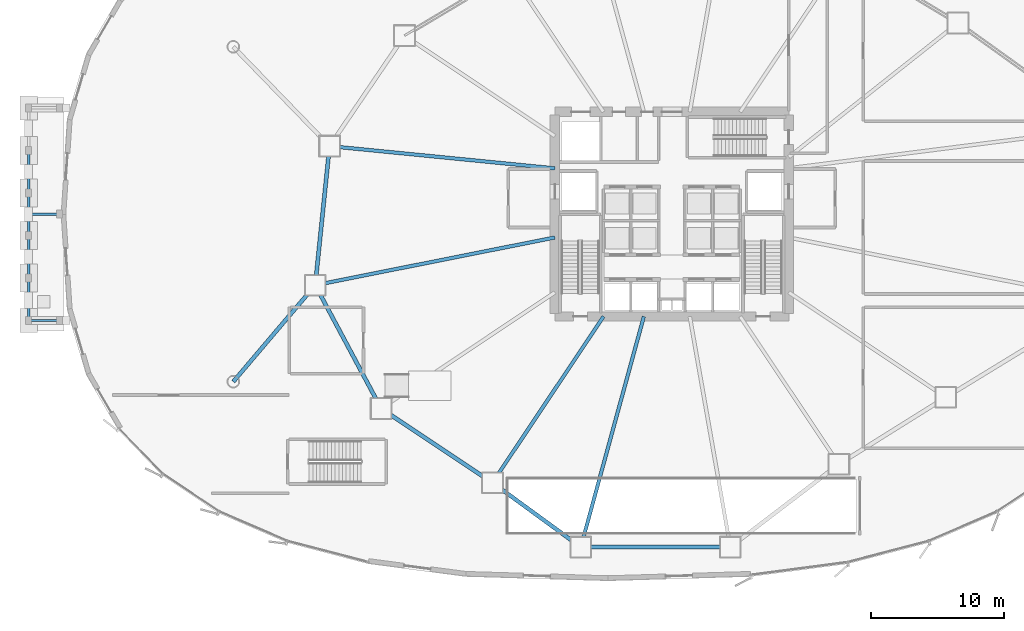
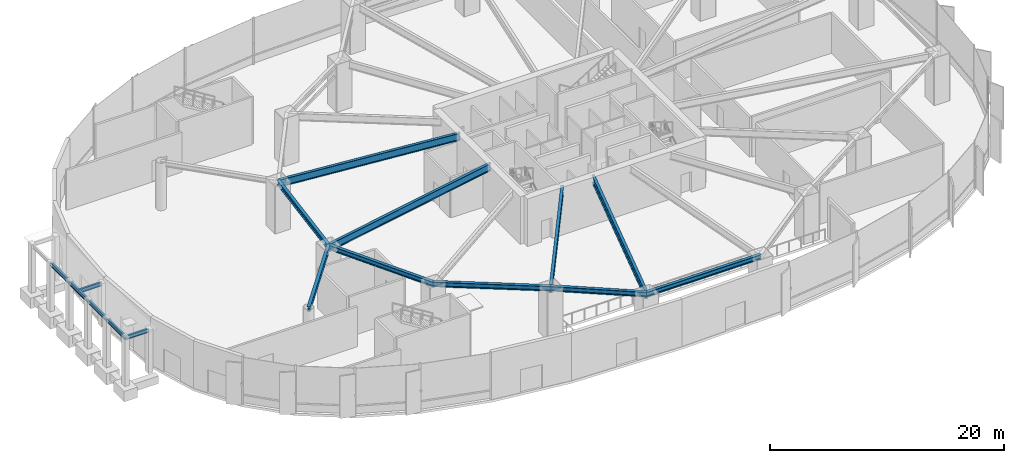
# One storey, part 4 of 35: 16 beams.
"""IFC4 building model written with IfcOpenShell, lengths in metres."""

from ifc_helpers import new_model, si_unit, direction, frame, origin, origin_2d, place, context, subcontext, project, spatial, i_section, extrude, source, transform, mapped, material, material_profile, profile_set, type_object, element, save


model = new_model("IFC4")

# Units and contexts
model_context = context("Model", 3, precision=1e-05, world=origin(), true_north=direction((0.0, 1.0)))
body_context = subcontext(model_context, "Body", "Model", "MODEL_VIEW")
ifc_project = project(units=[si_unit("LENGTHUNIT", "METRE"), si_unit("AREAUNIT", "SQUARE_METRE"), si_unit("VOLUMEUNIT", "CUBIC_METRE"), si_unit("PLANEANGLEUNIT", "RADIAN"), si_unit("MASSUNIT", "GRAM", prefix="KILO"), si_unit("THERMODYNAMICTEMPERATUREUNIT", "KELVIN")], contexts=[model_context])

# Site, building, storey
site_placement = place(None, origin())
site = spatial("IfcSite", under=ifc_project, at=site_placement, CompositionType="ELEMENT")
building_placement = place(site_placement, origin())
building = spatial("IfcBuilding", under=site, at=building_placement, Name="Kethvar Cultural Tower", CompositionType="ELEMENT")
storey_placement = place(building_placement, origin())
storey = spatial("IfcBuildingStorey", under=building, at=storey_placement, Name="L00", CompositionType="ELEMENT", Elevation=0.0)

# Beams
ifc_material = material(Name="Steel S355J2", Category="steel")
ifc_material_profile_1 = material_profile(ifc_material, i_section(OverallWidth=0.179931640625, OverallDepth=0.39990234375, WebThickness=0.008544921875, FlangeThickness=0.013427734375, FilletRadius=0.02099609375, at=origin_2d()), Name="Steel S355J2 — IPE400")
ifc_profile_set_1 = profile_set([ifc_material_profile_1], Name="Steel S355J2 — IPE400")
beam_type_1 = type_object("IfcBeamType", Name="BM-CAN400", PredefinedType="BEAM", material=ifc_profile_set_1)
shared_shape_1 = source(origin(), body_context, "Body", "SweptSolid", [
    extrude(i_section(OverallWidth=0.179931640625, OverallDepth=0.39990234375, WebThickness=0.008544921875, FlangeThickness=0.013427734375, FilletRadius=0.02099609375, at=origin_2d()), origin(), (0.0, 0.0, 1.0), 2.320068359375),
])
for number, where, z_axis, x_axis, name in (
    (1, (-1.60009765625, 19.800048828125, 4.340087890625), (1.0, 0.0, 0.0), (0.0, 1.0, 0.0), "West Entrance Canopy Cross Beam CT-01"),
    (2, (-1.60009765625, 27.800048828125, 4.340087890625), (1.0, 0.0, 0.0), (0.0, 1.0, 0.0), "West Entrance Canopy Cross Beam CT-02"),
):
    element("IfcBeam", number, at=place(storey_placement, frame(where, z_axis=z_axis, x_axis=x_axis)), inside=storey, type_object=beam_type_1, Name=name, PredefinedType="BEAM", context=body_context, shape_type="MappedRepresentation", body=[
        mapped(shared_shape_1, transform((0.0, 0.0, 0.0), scale=1.0)),
    ])
shared_shape_2 = source(origin(), body_context, "Body", "SweptSolid", [
    extrude(i_section(OverallWidth=0.179931640625, OverallDepth=0.39990234375, WebThickness=0.008544921875, FlangeThickness=0.013427734375, FilletRadius=0.02099609375, at=origin_2d()), origin(), (0.0, 0.0, 1.0), 3.199951171875),
])
for number, where, z_axis, x_axis, name in (
    (3, (-1.60009765625, 19.800048828125, 4.340087890625), (0.0, 1.0, 0.0), (-1.0, 0.0, 0.0), "West Entrance Canopy Edge Beam CB-01"),
    (4, (-1.60009765625, 23.0, 4.340087890625), (0.0, 1.0, 0.0), (-1.0, 0.0, 0.0), "West Entrance Canopy Edge Beam CB-02"),
    (5, (-1.60009765625, 26.199951171875, 4.340087890625), (0.0, 1.0, 0.0), (-1.0, 0.0, 0.0), "West Entrance Canopy Edge Beam CB-03"),
):
    element("IfcBeam", number, at=place(storey_placement, frame(where, z_axis=z_axis, x_axis=x_axis)), inside=storey, type_object=beam_type_1, Name=name, PredefinedType="BEAM", context=body_context, shape_type="MappedRepresentation", body=[
        mapped(shared_shape_2, transform((0.0, 0.0, 0.0), scale=1.0)),
    ])
shared_shape_3 = source(origin(), body_context, "Body", "SweptSolid", [
    extrude(i_section(OverallWidth=0.179931640625, OverallDepth=0.39990234375, WebThickness=0.008544921875, FlangeThickness=0.013427734375, FilletRadius=0.02099609375, at=origin_2d()), origin(), (0.0, 0.0, 1.0), 3.2001953125),
])
beam_1_placement = place(storey_placement, frame((-1.60009765625, 29.39990234375, 4.340087890625), z_axis=(0.0, 1.0, 0.0), x_axis=(-1.0, 0.0, 0.0)))
element("IfcBeam", 6, at=beam_1_placement, inside=storey, type_object=beam_type_1, Name="West Entrance Canopy Edge Beam CB-04", PredefinedType="BEAM", context=body_context, shape_type="MappedRepresentation", body=[
    mapped(shared_shape_3, transform((0.0, 0.0, 0.0), scale=1.0)),
])
ifc_material_profile_2 = material_profile(ifc_material, i_section(OverallWidth=0.300048828125, OverallDepth=0.5, WebThickness=0.014404296875, FlangeThickness=0.028076171875, FilletRadius=0.027099609375, at=origin_2d()), Name="Steel S355J2 — HEB500")
ifc_profile_set_2 = profile_set([ifc_material_profile_2], Name="Steel S355J2 — HEB500")
beam_type_2 = type_object("IfcBeamType", Name="BM-SP500", PredefinedType="SPANDREL", material=ifc_profile_set_2)
shared_shape_4 = source(origin(), body_context, "Body", "SweptSolid", [
    extrude(i_section(OverallWidth=0.300048828125, OverallDepth=0.5, WebThickness=0.014404296875, FlangeThickness=0.028076171875, FilletRadius=0.027099609375, at=origin_2d()), origin(), (0.0, 0.0, 1.0), 11.25),
])
beam_2_placement = place(storey_placement, frame((39.949951171875, 2.75, 4.697998046875), z_axis=(1.0, 0.0, 0.0), x_axis=(0.0, 1.0, 0.0)))
element("IfcBeam", 7, at=beam_2_placement, inside=storey, type_object=beam_type_2, Name="L00 Podium Ring Beam 12", PredefinedType="SPANDREL", context=body_context, shape_type="MappedRepresentation", body=[
    mapped(shared_shape_4, transform((0.0, 0.0, 0.0), scale=1.0)),
])
shared_shape_5 = source(origin(), body_context, "Body", "SweptSolid", [
    extrude(i_section(OverallWidth=0.300048828125, OverallDepth=0.5, WebThickness=0.014404296875, FlangeThickness=0.028076171875, FilletRadius=0.027099609375, at=origin_2d()), origin(), (0.0, 0.0, 1.0), 10.515869140625),
])
beam_3_placement = place(storey_placement, frame((21.047119140625, 32.922607421875, 4.697998046875), z_axis=(-0.102824694973, -0.994699493367, 0.0), x_axis=(0.994699493367, -0.102824694973, 0.0)))
element("IfcBeam", 8, at=beam_3_placement, inside=storey, type_object=beam_type_2, Name="L00 Podium Ring Beam 08", PredefinedType="SPANDREL", context=body_context, shape_type="MappedRepresentation", body=[
    mapped(shared_shape_5, transform((0.0, 0.0, 0.0), scale=1.0)),
])
shared_shape_6 = source(origin(), body_context, "Body", "SweptSolid", [
    extrude(i_section(OverallWidth=0.300048828125, OverallDepth=0.5, WebThickness=0.014404296875, FlangeThickness=0.028076171875, FilletRadius=0.027099609375, at=origin_2d()), origin(), (0.0, 0.0, 1.0), 10.52099609375),
])
beam_4_placement = place(storey_placement, frame((19.9658203125, 22.46240234375, 4.697998046875), z_axis=(0.471339616984, -0.881951793162, 0.0), x_axis=(0.881951793162, 0.471339616984, 0.0)))
element("IfcBeam", 9, at=beam_4_placement, inside=storey, type_object=beam_type_2, Name="L00 Podium Ring Beam 09", PredefinedType="SPANDREL", context=body_context, shape_type="MappedRepresentation", body=[
    mapped(shared_shape_6, transform((0.0, 0.0, 0.0), scale=1.0)),
])
shared_shape_7 = source(origin(), body_context, "Body", "SweptSolid", [
    extrude(i_section(OverallWidth=0.300048828125, OverallDepth=0.5, WebThickness=0.014404296875, FlangeThickness=0.028076171875, FilletRadius=0.027099609375, at=origin_2d()), origin(), (0.0, 0.0, 1.0), 10.06787109375),
])
beam_5_placement = place(storey_placement, frame((24.9248046875, 13.183349609375, 4.697998046875), z_axis=(0.832065216665, -0.554677812083, 0.0), x_axis=(0.554677812083, 0.832065216665, 0.0)))
element("IfcBeam", 10, at=beam_5_placement, inside=storey, type_object=beam_type_2, Name="L00 Podium Ring Beam 10", PredefinedType="SPANDREL", context=body_context, shape_type="MappedRepresentation", body=[
    mapped(shared_shape_7, transform((0.0, 0.0, 0.0), scale=1.0)),
])
shared_shape_8 = source(origin(), body_context, "Body", "SweptSolid", [
    extrude(i_section(OverallWidth=0.300048828125, OverallDepth=0.5, WebThickness=0.014404296875, FlangeThickness=0.028076171875, FilletRadius=0.027099609375, at=origin_2d()), origin(), (0.0, 0.0, 1.0), 8.228515625),
])
beam_6_placement = place(storey_placement, frame((33.302001953125, 7.598876953125, 4.697998046875), z_axis=(0.807925716462, -0.589284342808, 0.0), x_axis=(0.589284342808, 0.807925716462, 0.0)))
element("IfcBeam", 11, at=beam_6_placement, inside=storey, type_object=beam_type_2, Name="L00 Podium Ring Beam 11", PredefinedType="SPANDREL", context=body_context, shape_type="MappedRepresentation", body=[
    mapped(shared_shape_8, transform((0.0, 0.0, 0.0), scale=1.0)),
])
shared_shape_9 = source(origin(), body_context, "Body", "SweptSolid", [
    extrude(i_section(OverallWidth=0.300048828125, OverallDepth=0.5, WebThickness=0.014404296875, FlangeThickness=0.028076171875, FilletRadius=0.027099609375, at=origin_2d()), origin(), (0.0, 0.0, 1.0), 9.52685546875),
])
beam_7_placement = place(storey_placement, frame((13.800048828125, 15.199951171875, 4.697998046875), z_axis=(0.647202724352, 0.762317934717, 0.0), x_axis=(-0.762317934717, 0.647202724352, 0.0)))
element("IfcBeam", 12, at=beam_7_placement, inside=storey, type_object=beam_type_2, Name="L00 West Atrium Wing Beam 01", PredefinedType="SPANDREL", context=body_context, shape_type="MappedRepresentation", body=[
    mapped(shared_shape_9, transform((0.0, 0.0, 0.0), scale=1.0)),
])
ifc_material_profile_3 = material_profile(ifc_material, i_section(OverallWidth=0.26708984375, OverallDepth=0.761962890625, WebThickness=0.014404296875, FlangeThickness=0.021484375, FilletRadius=0.01708984375, at=origin_2d()), Name="Steel S355J2 — IPE750x173")
ifc_profile_set_3 = profile_set([ifc_material_profile_3], Name="Steel S355J2 — IPE750x173")
beam_type_3 = type_object("IfcBeamType", Name="BM-IPE750", PredefinedType="BEAM", material=ifc_profile_set_3)
shared_shape_10 = source(origin(), body_context, "Body", "SweptSolid", [
    extrude(i_section(OverallWidth=0.26708984375, OverallDepth=0.761962890625, WebThickness=0.014404296875, FlangeThickness=0.021484375, FilletRadius=0.01708984375, at=origin_2d()), origin(), (0.0, 0.0, 1.0), 17.987060546875),
])
beam_8_placement = place(storey_placement, frame((44.6943359375, 20.10009765625, 4.56689453125), z_axis=(-0.26376624534, -0.964586630541, 0.0), x_axis=(0.964586630541, -0.26376624534, 0.0)))
element("IfcBeam", 13, at=beam_8_placement, inside=storey, type_object=beam_type_3, Name="L00 Podium Radial Girder 12", PredefinedType="BEAM", context=body_context, shape_type="MappedRepresentation", body=[
    mapped(shared_shape_10, transform((0.0, 0.0, 0.0), scale=1.0)),
])
shared_shape_11 = source(origin(), body_context, "Body", "SweptSolid", [
    extrude(i_section(OverallWidth=0.26708984375, OverallDepth=0.761962890625, WebThickness=0.014404296875, FlangeThickness=0.021484375, FilletRadius=0.01708984375, at=origin_2d()), origin(), (0.0, 0.0, 1.0), 17.03515625),
])
beam_9_placement = place(storey_placement, frame((38.0, 31.25, 4.56689453125), z_axis=(-0.995168138859, 0.098185413375, 0.0), x_axis=(-0.098185413375, -0.995168138859, 0.0)))
element("IfcBeam", 14, at=beam_9_placement, inside=storey, type_object=beam_type_3, Name="L00 Podium Radial Girder 08", PredefinedType="BEAM", context=body_context, shape_type="MappedRepresentation", body=[
    mapped(shared_shape_11, transform((0.0, 0.0, 0.0), scale=1.0)),
])
shared_shape_12 = source(origin(), body_context, "Body", "SweptSolid", [
    extrude(i_section(OverallWidth=0.26708984375, OverallDepth=0.761962890625, WebThickness=0.014404296875, FlangeThickness=0.021484375, FilletRadius=0.01708984375, at=origin_2d()), origin(), (0.0, 0.0, 1.0), 18.387451171875),
])
beam_10_placement = place(storey_placement, frame((38.0, 26.049560546875, 4.56689453125), z_axis=(-0.980785937774, -0.195087017162, 0.0), x_axis=(0.195087017162, -0.980785937774, 0.0)))
element("IfcBeam", 15, at=beam_10_placement, inside=storey, type_object=beam_type_3, Name="L00 Podium Radial Girder 09", PredefinedType="BEAM", context=body_context, shape_type="MappedRepresentation", body=[
    mapped(shared_shape_12, transform((0.0, 0.0, 0.0), scale=1.0)),
])
shared_shape_13 = source(origin(), body_context, "Body", "SweptSolid", [
    extrude(i_section(OverallWidth=0.26708984375, OverallDepth=0.761962890625, WebThickness=0.014404296875, FlangeThickness=0.021484375, FilletRadius=0.01708984375, at=origin_2d()), origin(), (0.0, 0.0, 1.0), 15.03515625),
])
beam_11_placement = place(storey_placement, frame((41.655029296875, 20.10009765625, 4.56689453125), z_axis=(-0.555569254616, -0.83147026605, 0.0), x_axis=(0.83147026605, -0.555569254616, 0.0)))
element("IfcBeam", 16, at=beam_11_placement, inside=storey, type_object=beam_type_3, Name="L00 Podium Radial Girder 11", PredefinedType="BEAM", context=body_context, shape_type="MappedRepresentation", body=[
    mapped(shared_shape_13, transform((0.0, 0.0, 0.0), scale=1.0)),
])

save(model, "model.ifc")
